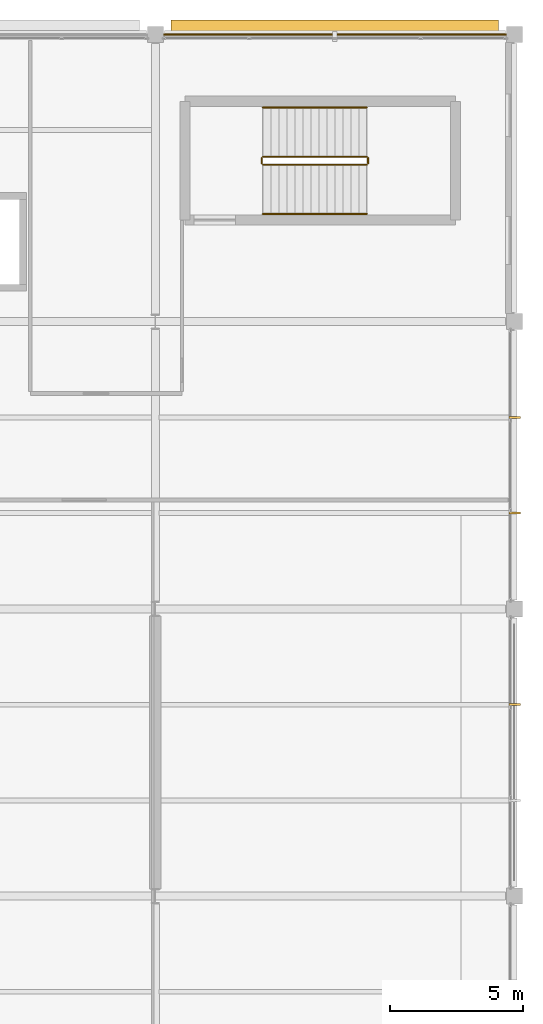
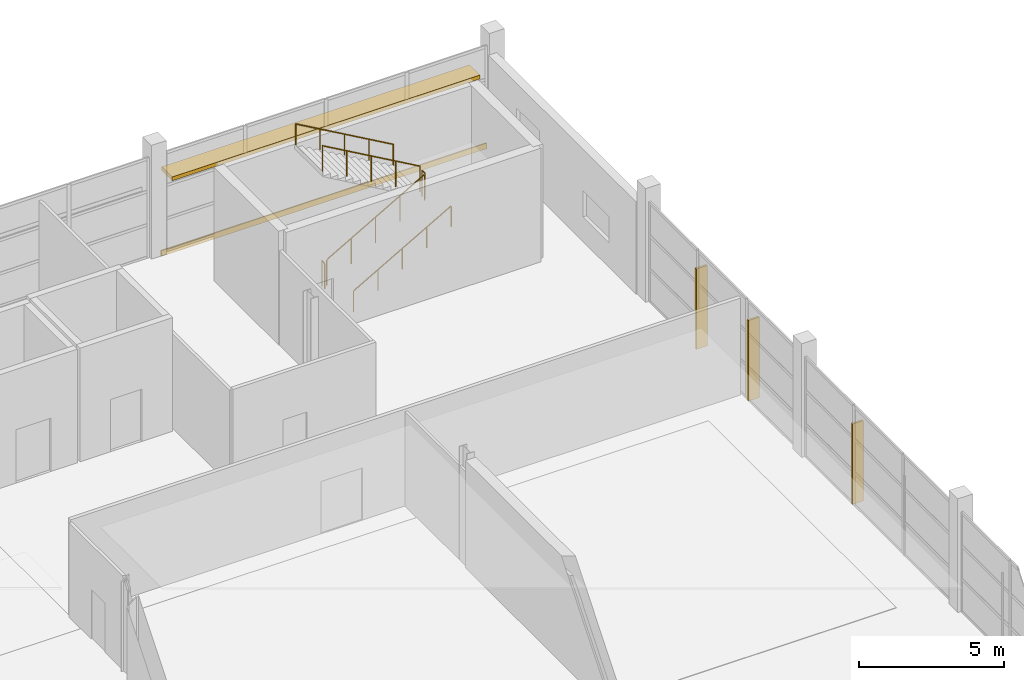
# One storey, part 134 of 134: 6 railings, 4 shading devices, 1 covering.
"""IFC4 building model written with IfcOpenShell, lengths in metres."""

from ifc_helpers import new_model, si_unit, direction, frame, origin, origin_2d, place, context, subcontext, project, spatial, rectangle, circle, extrude, material, layer, layer_set, type_object, element, save


model = new_model("IFC4")

# Units and contexts
model_context = context("Model", 3, precision=1e-05, world=origin(), true_north=direction((0.0, 1.0)))
body_context = subcontext(model_context, "Body", "Model", "MODEL_VIEW")
ifc_project = project(units=[si_unit("LENGTHUNIT", "METRE"), si_unit("AREAUNIT", "SQUARE_METRE"), si_unit("VOLUMEUNIT", "CUBIC_METRE"), si_unit("PLANEANGLEUNIT", "RADIAN"), si_unit("MASSUNIT", "GRAM", prefix="KILO")], contexts=[model_context])

# Site, building, storey
site_placement = place(None, origin())
site = spatial("IfcSite", under=ifc_project, at=site_placement, CompositionType="ELEMENT")
building_placement = place(site_placement, origin())
building = spatial("IfcBuilding", under=site, at=building_placement, Name="Tamarisk Ironworks Central Station", CompositionType="ELEMENT")
storey_placement = place(building_placement, frame((0.0, 0.0, 12.60009765625)))
storey = spatial("IfcBuildingStorey", under=building, at=storey_placement, Name="L02", CompositionType="ELEMENT", Elevation=12.60009765625)

# Covering
ifc_material_1 = material(Name="Clay facing brickwork and mortar", Category="masonry")
ifc_layer = layer(ifc_material_1, 0.050048828125)
ifc_layer_set = layer_set([ifc_layer], Name="Clay facing brickwork and mortar")
covering_type = type_object("IfcCoveringType", Name="COV-CLAD", PredefinedType="CLADDING", material=ifc_layer_set)
covering_placement = place(storey_placement, frame((173.25, 122.389892578125, -0.240234375), z_axis=(0.0, 0.0, 1.0), x_axis=(1.0, 0.0, 0.0)))
element("IfcCovering", 1, at=covering_placement, inside=storey, type_object=covering_type, Name="L02 terracotta slab-edge spandrel cladding 012", PredefinedType="CLADDING", context=body_context, shape_type="SweptSolid", body=[
    extrude(rectangle(XDim=13.0, YDim=0.050048828125, at=origin_2d()), origin(), (0.0, 0.0, 1.0), 0.239990234375),
])

# Railings
ifc_material_2 = material(Name="Brushed stainless steel AISI 316", Category="steel")
railing_type_1 = type_object("IfcRailingType", Name="RL-GUARD-INT", PredefinedType="BALUSTRADE", material=ifc_material_2)
railing_1_placement = place(storey_placement, frame((170.550048828125, 117.5, 0.17138671875)))
element("IfcRailing", 2, at=railing_1_placement, inside=storey, type_object=railing_type_1, Name="L02 ST-C2 stair guard 1", PredefinedType="BALUSTRADE", context=body_context, shape_type="SweptSolid", body=[
    extrude(circle(Radius=0.02392578125, at=origin_2d()), frame((0.0, 0.0, 1.076171875), z_axis=(0.868243142124, 0.0, 0.496138938357), x_axis=(0.0, 1.0, 0.0)), (0.0, 0.0, 1.0), 4.49169921875),
    extrude(circle(Radius=0.02099609375, at=origin_2d()), origin(), (0.0, 0.0, 1.0), 1.052001953125),
    extrude(circle(Radius=0.02099609375, at=origin_2d()), frame((0.97509765625, 0.0, 0.55712890625)), (0.0, 0.0, 1.0), 1.052001953125),
    extrude(circle(Radius=0.02099609375, at=origin_2d()), frame((1.949951171875, 0.0, 1.1142578125)), (0.0, 0.0, 1.0), 1.052001953125),
    extrude(circle(Radius=0.02099609375, at=origin_2d()), frame((2.9248046875, 0.0, 1.67138671875)), (0.0, 0.0, 1.0), 1.052001953125),
    extrude(circle(Radius=0.02099609375, at=origin_2d()), frame((3.89990234375, 0.0, 2.228515625)), (0.0, 0.0, 1.0), 1.052001953125),
])
railing_2_placement = place(storey_placement, frame((174.5, 117.550048828125, 2.39990234375)))
element("IfcRailing", 3, at=railing_2_placement, inside=storey, type_object=railing_type_1, Name="L02 ST-C2 stair guard 2", PredefinedType="BALUSTRADE", context=body_context, shape_type="SweptSolid", body=[
    extrude(circle(Radius=0.02392578125, at=origin_2d()), frame((0.0, 0.0, 1.076171875), z_axis=(0.0, 1.0, 0.0), x_axis=(-1.0, 0.0, 0.0)), (0.0, 0.0, 1.0), 0.199951171875),
    extrude(circle(Radius=0.02099609375, at=origin_2d()), origin(), (0.0, 0.0, 1.0), 1.052001953125),
    extrude(circle(Radius=0.02099609375, at=origin_2d()), frame((0.0, 0.199951171875, 0.0)), (0.0, 0.0, 1.0), 1.052001953125),
])
railing_3_placement = place(storey_placement, frame((174.449951171875, 117.800048828125, 2.5712890625)))
element("IfcRailing", 4, at=railing_3_placement, inside=storey, type_object=railing_type_1, Name="L02 ST-C2 stair guard 3", PredefinedType="BALUSTRADE", context=body_context, shape_type="SweptSolid", body=[
    extrude(circle(Radius=0.02392578125, at=origin_2d()), frame((0.0, 0.0, 1.076171875), z_axis=(-0.868243142124, 0.0, 0.496138938357), x_axis=(0.0, -1.0, 0.0)), (0.0, 0.0, 1.0), 4.49169921875),
    extrude(circle(Radius=0.02099609375, at=origin_2d()), origin(), (0.0, 0.0, 1.0), 1.052001953125),
    extrude(circle(Radius=0.02099609375, at=origin_2d()), frame((-0.97509765625, 0.0, 0.55712890625)), (0.0, 0.0, 1.0), 1.052001953125),
    extrude(circle(Radius=0.02099609375, at=origin_2d()), frame((-1.949951171875, 0.0, 1.1142578125)), (0.0, 0.0, 1.0), 1.052001953125),
    extrude(circle(Radius=0.02099609375, at=origin_2d()), frame((-2.9248046875, 0.0, 1.67138671875)), (0.0, 0.0, 1.0), 1.052001953125),
    extrude(circle(Radius=0.02099609375, at=origin_2d()), frame((-3.89990234375, 0.0, 2.228515625)), (0.0, 0.0, 1.0), 1.052001953125),
])
railing_4_placement = place(storey_placement, frame((170.5, 117.550048828125, 0.0)))
element("IfcRailing", 5, at=railing_4_placement, inside=storey, type_object=railing_type_1, Name="L02 ST-C2 stair guard 4", PredefinedType="BALUSTRADE", context=body_context, shape_type="SweptSolid", body=[
    extrude(circle(Radius=0.02392578125, at=origin_2d()), frame((0.0, 0.0, 1.076171875), z_axis=(0.0, 1.0, 0.0), x_axis=(-1.0, 0.0, 0.0)), (0.0, 0.0, 1.0), 0.199951171875),
    extrude(circle(Radius=0.02099609375, at=origin_2d()), origin(), (0.0, 0.0, 1.0), 1.052001953125),
    extrude(circle(Radius=0.02099609375, at=origin_2d()), frame((0.0, 0.199951171875, 0.0)), (0.0, 0.0, 1.0), 1.052001953125),
])
railing_type_2 = type_object("IfcRailingType", Name="RL-HAND", PredefinedType="HANDRAIL", material=ifc_material_2)
railing_5_placement = place(storey_placement, frame((170.550048828125, 115.64990234375, 0.17138671875)))
element("IfcRailing", 6, at=railing_5_placement, inside=storey, type_object=railing_type_2, Name="L02 ST-C2 stair handrail 1", PredefinedType="HANDRAIL", context=body_context, shape_type="SweptSolid", body=[
    extrude(circle(Radius=0.02392578125, at=origin_2d()), frame((0.0, 0.0, 0.8759765625), z_axis=(0.868243142124, 0.0, 0.496138938357), x_axis=(0.0, 1.0, 0.0)), (0.0, 0.0, 1.0), 4.49169921875),
    extrude(circle(Radius=0.02099609375, at=origin_2d()), origin(), (0.0, 0.0, 1.0), 0.851806640625),
    extrude(circle(Radius=0.02099609375, at=origin_2d()), frame((0.97509765625, 0.0, 0.55712890625)), (0.0, 0.0, 1.0), 0.851806640625),
    extrude(circle(Radius=0.02099609375, at=origin_2d()), frame((1.949951171875, 0.0, 1.1142578125)), (0.0, 0.0, 1.0), 0.851806640625),
    extrude(circle(Radius=0.02099609375, at=origin_2d()), frame((2.9248046875, 0.0, 1.67138671875)), (0.0, 0.0, 1.0), 0.851806640625),
    extrude(circle(Radius=0.02099609375, at=origin_2d()), frame((3.89990234375, 0.0, 2.228515625)), (0.0, 0.0, 1.0), 0.851806640625),
])
railing_6_placement = place(storey_placement, frame((174.449951171875, 119.64990234375, 2.5712890625)))
element("IfcRailing", 7, at=railing_6_placement, inside=storey, type_object=railing_type_2, Name="L02 ST-C2 stair handrail 2", PredefinedType="HANDRAIL", context=body_context, shape_type="SweptSolid", body=[
    extrude(circle(Radius=0.02392578125, at=origin_2d()), frame((0.0, 0.0, 0.8759765625), z_axis=(-0.868243142124, 0.0, 0.496138938357), x_axis=(0.0, -1.0, 0.0)), (0.0, 0.0, 1.0), 4.49169921875),
    extrude(circle(Radius=0.02099609375, at=origin_2d()), origin(), (0.0, 0.0, 1.0), 0.851806640625),
    extrude(circle(Radius=0.02099609375, at=origin_2d()), frame((-0.97509765625, 0.0, 0.55712890625)), (0.0, 0.0, 1.0), 0.851806640625),
    extrude(circle(Radius=0.02099609375, at=origin_2d()), frame((-1.949951171875, 0.0, 1.1142578125)), (0.0, 0.0, 1.0), 0.851806640625),
    extrude(circle(Radius=0.02099609375, at=origin_2d()), frame((-2.9248046875, 0.0, 1.67138671875)), (0.0, 0.0, 1.0), 0.851806640625),
    extrude(circle(Radius=0.02099609375, at=origin_2d()), frame((-3.89990234375, 0.0, 2.228515625)), (0.0, 0.0, 1.0), 0.851806640625),
])

# Shading devices
ifc_material_3 = material(Name="Anodized aluminium alloy 6063-T6", Category="aluminium")
shading_device_type_1 = type_object("IfcShadingDeviceType", Name="SHD-FN01", PredefinedType="USERDEFINED", material=ifc_material_3)
for number, where, z_axis, x_axis, name in (
    (8, (180.02001953125, 97.199951171875, 0.0), (0.0, 0.0, 1.0), (1.0, 0.0, 0.0), "L02 east vertical solar brise-soleil fin 028"),
    (9, (180.02001953125, 104.39990234375, 0.0), (0.0, 0.0, 1.0), (1.0, 0.0, 0.0), "L02 east vertical solar brise-soleil fin 029"),
    (10, (180.02001953125, 108.0, 0.0), (0.0, 0.0, 1.0), (1.0, 0.0, 0.0), "L02 east vertical solar brise-soleil fin 030"),
):
    element("IfcShadingDevice", number, at=place(storey_placement, frame(where, z_axis=z_axis, x_axis=x_axis)), inside=storey, type_object=shading_device_type_1, Name=name, ObjectType="BRISE SOLEIL FIN", PredefinedType="USERDEFINED", context=body_context, shape_type="SweptSolid", body=[
        extrude(rectangle(XDim=0.43994140625, YDim=0.080078125, at=origin_2d()), origin(), (0.0, 0.0, 1.0), 3.39990234375),
    ])
shading_device_type_2 = type_object("IfcShadingDeviceType", Name="SHD-LV02", PredefinedType="JALOUSIE", material=ifc_material_3)
shading_device_placement = place(storey_placement, frame((173.25, 122.580078125, 2.919921875), z_axis=(0.0, 0.0, 1.0), x_axis=(1.0, 0.0, 0.0)))
element("IfcShadingDevice", 11, at=shading_device_placement, inside=storey, type_object=shading_device_type_2, Name="L02 north horizontal solar jalousie canopy 007", PredefinedType="JALOUSIE", context=body_context, shape_type="SweptSolid", body=[
    extrude(rectangle(XDim=12.300048828125, YDim=0.719970703125, at=origin_2d()), origin(), (0.0, 0.0, 1.0), 0.159912109375),
])

save(model, "model.ifc")
